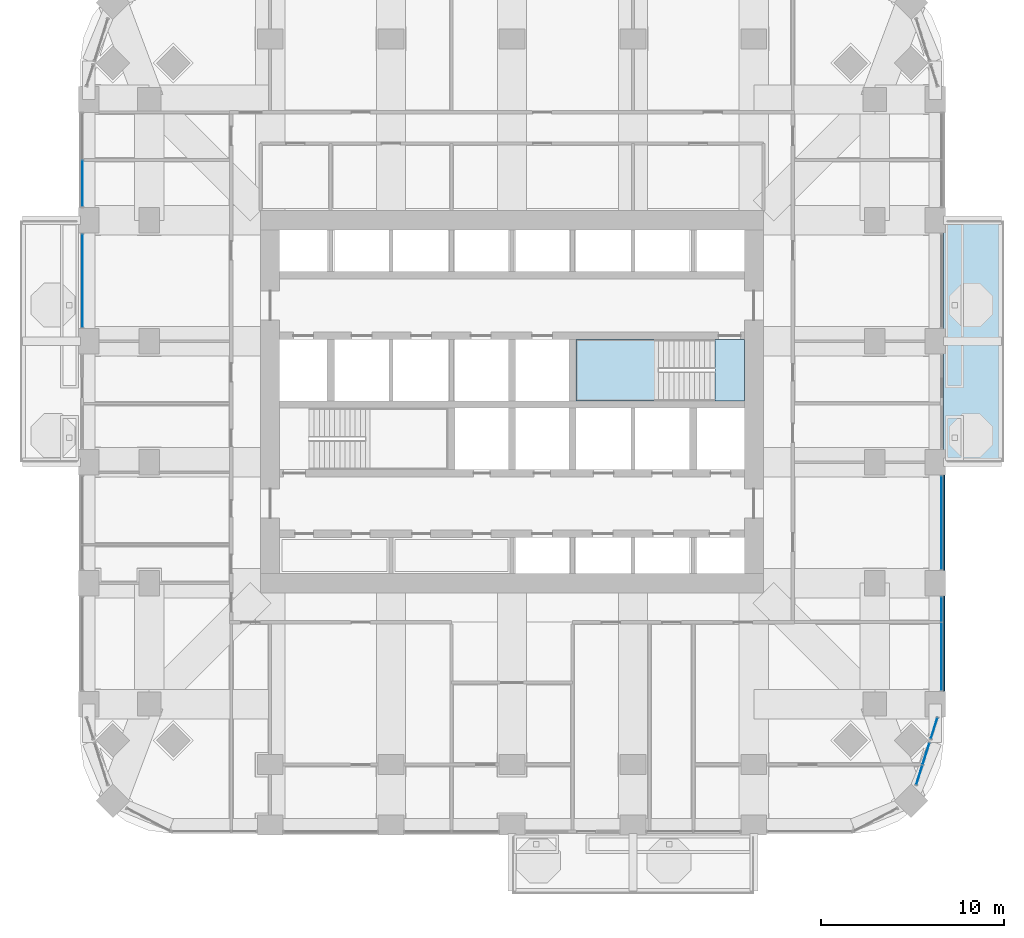
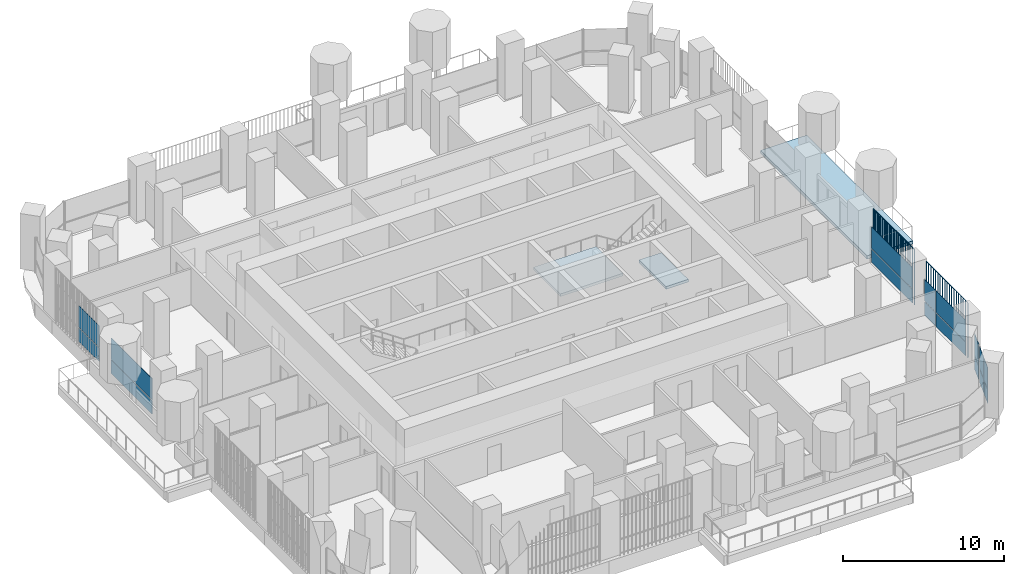
# One storey, part 11 of 23: 18 plates, 3 slabs, 7 elements without a shape of their own.
"""IFC4 building model written with IfcOpenShell, lengths in metres."""

from ifc_helpers import new_model, si_unit, direction, frame, origin, origin_2d, place, context, subcontext, project, spatial, polyline, rectangle, outline, extrude, material, layer, layer_set, type_object, element, aggregate, save


model = new_model("IFC4")

# Units and contexts
model_context = context("Model", 3, precision=1e-05, world=origin(), true_north=direction((0.0, 1.0)))
body_context = subcontext(model_context, "Body", "Model", "MODEL_VIEW")
ifc_project = project(units=[si_unit("LENGTHUNIT", "METRE"), si_unit("AREAUNIT", "SQUARE_METRE"), si_unit("VOLUMEUNIT", "CUBIC_METRE"), si_unit("PLANEANGLEUNIT", "RADIAN"), si_unit("MASSUNIT", "GRAM", prefix="KILO")], contexts=[model_context])

# Site, building, storey
site_placement = place(None, origin())
site = spatial("IfcSite", under=ifc_project, at=site_placement, CompositionType="ELEMENT")
building_placement = place(site_placement, origin())
building = spatial("IfcBuilding", under=site, at=building_placement, Name="Cobogo Forest Laboratory Tower", CompositionType="ELEMENT")
storey_placement = place(building_placement, frame((0.0, 0.0, 128.39990234375)))
storey = spatial("IfcBuildingStorey", under=building, at=storey_placement, Name="L29", CompositionType="ELEMENT", Elevation=128.39990234375)

# Slab
ifc_material_1 = material(Name="Concrete HA-40 (C40/50)", Category="concrete")
ifc_layer_1 = layer(ifc_material_1, 0.25)
ifc_layer_set_1 = layer_set([ifc_layer_1], Name="Balcony slab 250")
slab_type_1 = type_object("IfcSlabType", Name="Balcony slab 250", PredefinedType="FLOOR", material=ifc_layer_set_1)
slab_1_placement = place(storey_placement, frame((0.0, 0.0, -0.25)))
element("IfcSlab", 1, at=slab_1_placement, inside=storey, type_object=slab_type_1, Name="Balcony BAL-E1 L29", PredefinedType="FLOOR", context=body_context, shape_type="SweptSolid", body=[
    extrude(outline(polyline([(49.949951171875, 19.800048828125), (53.25, 19.800048828125), (53.25, 33.0), (49.949951171875, 33.0), (49.949951171875, 19.800048828125)])), origin(), (0.0, 0.0, 1.0), 0.25),
])

# Curtain wall, plates
ifc_material_2 = material(Name="Aluminium curtain wall", Category="aluminium")
curtain_wall_type = type_object("IfcCurtainWallType", Name="CW-1 unitised curtain wall, clear glazing, laboratory floors zones A and B", PredefinedType="USERDEFINED", material=ifc_material_2)
curtain_wall_1_placement = place(storey_placement, origin())
curtain_wall_1 = element("IfcCurtainWall", 2, at=curtain_wall_1_placement, inside=storey, type_object=curtain_wall_type, Name="Curtain wall 08 L29", ObjectType="UNITISED CURTAIN WALL", PredefinedType="USERDEFINED")
ifc_material_3 = material(Name="Clear insulated glass", Category="glass")
ifc_layer_2 = layer(ifc_material_3, 0.028076171875)
ifc_layer_set_2 = layer_set([ifc_layer_2], Name="GP-1 clear insulated glass unit 28")
plate_type_1 = type_object("IfcPlateType", Name="GP-1 clear insulated glass unit 28", PredefinedType="CURTAIN_PANEL", material=ifc_layer_set_2)
plate_1_placement = place(storey_placement, frame((48.6279296875, 2.73046875, 0.0), z_axis=(0.0, 0.0, 1.0), x_axis=(0.301135291996, 0.953581425949, 0.0)))
plate_1 = element("IfcPlate", 3, at=plate_1_placement, type_object=plate_type_1, Name="CW-1 panel 1.1", PredefinedType="CURTAIN_PANEL", context=body_context, shape_type="SweptSolid", body=[
    extrude(rectangle(XDim=1.083984375, YDim=0.028076171875, at=origin_2d()), origin(), (0.0, 0.0, 1.0), 1.02001953125),
])
plate_2_placement = place(storey_placement, frame((48.6279296875, 2.73046875, 1.080078125), z_axis=(0.0, 0.0, 1.0), x_axis=(0.301135291996, 0.953581425949, 0.0)))
plate_2 = element("IfcPlate", 4, at=plate_2_placement, type_object=plate_type_1, Name="CW-1 panel 1.2", PredefinedType="CURTAIN_PANEL", context=body_context, shape_type="SweptSolid", body=[
    extrude(rectangle(XDim=1.083984375, YDim=0.028076171875, at=origin_2d()), origin(), (0.0, 0.0, 1.0), 1.6201171875),
])
plate_3_placement = place(storey_placement, frame((48.99365234375, 3.88818359375, 0.0), z_axis=(0.0, 0.0, 1.0), x_axis=(0.301135291996, 0.953581425949, 0.0)))
plate_3 = element("IfcPlate", 5, at=plate_3_placement, type_object=plate_type_1, Name="CW-1 panel 2.1", PredefinedType="CURTAIN_PANEL", context=body_context, shape_type="SweptSolid", body=[
    extrude(rectangle(XDim=1.223876953125, YDim=0.028076171875, at=origin_2d()), origin(), (0.0, 0.0, 1.0), 1.02001953125),
])
plate_4_placement = place(storey_placement, frame((48.99365234375, 3.88818359375, 1.080078125), z_axis=(0.0, 0.0, 1.0), x_axis=(0.301135291996, 0.953581425949, 0.0)))
plate_4 = element("IfcPlate", 6, at=plate_4_placement, type_object=plate_type_1, Name="CW-1 panel 2.2", PredefinedType="CURTAIN_PANEL", context=body_context, shape_type="SweptSolid", body=[
    extrude(rectangle(XDim=1.223876953125, YDim=0.028076171875, at=origin_2d()), origin(), (0.0, 0.0, 1.0), 1.6201171875),
])
aggregate(curtain_wall_1, [plate_1, plate_2, plate_3, plate_4])

curtain_wall_2_placement = place(storey_placement, origin())
curtain_wall_2 = element("IfcCurtainWall", 7, at=curtain_wall_2_placement, inside=storey, type_object=curtain_wall_type, Name="Curtain wall 09 L29", ObjectType="UNITISED CURTAIN WALL", PredefinedType="USERDEFINED")
plate_5_placement = place(storey_placement, frame((49.433837890625, 5.2822265625, 0.0), z_axis=(0.0, 0.0, 1.0), x_axis=(0.301135356805, 0.953581405483, 0.0)))
plate_5 = element("IfcPlate", 8, at=plate_5_placement, type_object=plate_type_1, Name="CW-1 panel 1.1", PredefinedType="CURTAIN_PANEL", context=body_context, shape_type="SweptSolid", body=[
    extrude(rectangle(XDim=1.17578125, YDim=0.028076171875, at=origin_2d()), origin(), (0.0, 0.0, 1.0), 1.02001953125),
])
plate_6_placement = place(storey_placement, frame((49.433837890625, 5.2822265625, 1.080078125), z_axis=(0.0, 0.0, 1.0), x_axis=(0.301135356805, 0.953581405483, 0.0)))
plate_6 = element("IfcPlate", 9, at=plate_6_placement, type_object=plate_type_1, Name="CW-1 panel 1.2", PredefinedType="CURTAIN_PANEL", context=body_context, shape_type="SweptSolid", body=[
    extrude(rectangle(XDim=1.17578125, YDim=0.028076171875, at=origin_2d()), origin(), (0.0, 0.0, 1.0), 1.6201171875),
])
aggregate(curtain_wall_2, [plate_5, plate_6])

curtain_wall_3_placement = place(storey_placement, origin())
curtain_wall_3 = element("IfcCurtainWall", 10, at=curtain_wall_3_placement, inside=storey, type_object=curtain_wall_type, Name="Curtain wall 10 L29", ObjectType="UNITISED CURTAIN WALL", PredefinedType="USERDEFINED")
plate_7_placement = place(storey_placement, frame((49.85009765625, 9.202392578125, 0.0), z_axis=(0.0, 0.0, 1.0), x_axis=(0.0, 1.0, 0.0)))
plate_7 = element("IfcPlate", 11, at=plate_7_placement, type_object=plate_type_1, Name="CW-1 panel 1.1", PredefinedType="CURTAIN_PANEL", context=body_context, shape_type="SweptSolid", body=[
    extrude(rectangle(XDim=3.68505859375, YDim=0.028076171875, at=origin_2d()), origin(), (0.0, 0.0, 1.0), 1.02001953125),
])
plate_8_placement = place(storey_placement, frame((49.85009765625, 9.202392578125, 1.080078125), z_axis=(0.0, 0.0, 1.0), x_axis=(0.0, 1.0, 0.0)))
plate_8 = element("IfcPlate", 12, at=plate_8_placement, type_object=plate_type_1, Name="CW-1 panel 1.2", PredefinedType="CURTAIN_PANEL", context=body_context, shape_type="SweptSolid", body=[
    extrude(rectangle(XDim=3.68505859375, YDim=0.028076171875, at=origin_2d()), origin(), (0.0, 0.0, 1.0), 1.6201171875),
])
plate_9_placement = place(storey_placement, frame((49.85009765625, 11.7724609375, 0.0), z_axis=(0.0, 0.0, 1.0), x_axis=(0.0, 1.0, 0.0)))
plate_9 = element("IfcPlate", 13, at=plate_9_placement, type_object=plate_type_1, Name="CW-1 panel 2.1", PredefinedType="CURTAIN_PANEL", context=body_context, shape_type="SweptSolid", body=[
    extrude(rectangle(XDim=1.3349609375, YDim=0.028076171875, at=origin_2d()), origin(), (0.0, 0.0, 1.0), 1.02001953125),
])
plate_10_placement = place(storey_placement, frame((49.85009765625, 11.7724609375, 1.080078125), z_axis=(0.0, 0.0, 1.0), x_axis=(0.0, 1.0, 0.0)))
plate_10 = element("IfcPlate", 14, at=plate_10_placement, type_object=plate_type_1, Name="CW-1 panel 2.2", PredefinedType="CURTAIN_PANEL", context=body_context, shape_type="SweptSolid", body=[
    extrude(rectangle(XDim=1.3349609375, YDim=0.028076171875, at=origin_2d()), origin(), (0.0, 0.0, 1.0), 1.6201171875),
])
aggregate(curtain_wall_3, [plate_7, plate_8, plate_9, plate_10])

curtain_wall_4_placement = place(storey_placement, origin())
curtain_wall_4 = element("IfcCurtainWall", 15, at=curtain_wall_4_placement, inside=storey, type_object=curtain_wall_type, Name="Curtain wall 11 L29", ObjectType="UNITISED CURTAIN WALL", PredefinedType="USERDEFINED")
plate_11_placement = place(storey_placement, frame((49.85009765625, 16.5, 0.0), z_axis=(0.0, 0.0, 1.0), x_axis=(0.0, 1.0, 0.0)))
plate_11 = element("IfcPlate", 16, at=plate_11_placement, type_object=plate_type_1, Name="CW-1 panel 1.1", PredefinedType="CURTAIN_PANEL", context=body_context, shape_type="SweptSolid", body=[
    extrude(rectangle(XDim=5.080078125, YDim=0.028076171875, at=origin_2d()), origin(), (0.0, 0.0, 1.0), 1.02001953125),
])
plate_12_placement = place(storey_placement, frame((49.85009765625, 16.5, 1.080078125), z_axis=(0.0, 0.0, 1.0), x_axis=(0.0, 1.0, 0.0)))
plate_12 = element("IfcPlate", 17, at=plate_12_placement, type_object=plate_type_1, Name="CW-1 panel 1.2", PredefinedType="CURTAIN_PANEL", context=body_context, shape_type="SweptSolid", body=[
    extrude(rectangle(XDim=5.080078125, YDim=0.028076171875, at=origin_2d()), origin(), (0.0, 0.0, 1.0), 1.6201171875),
])
aggregate(curtain_wall_4, [plate_11, plate_12])

curtain_wall_5_placement = place(storey_placement, origin())
curtain_wall_5 = element("IfcCurtainWall", 18, at=curtain_wall_5_placement, inside=storey, type_object=curtain_wall_type, Name="Curtain wall 27 L29", ObjectType="UNITISED CURTAIN WALL", PredefinedType="USERDEFINED")
plate_13_placement = place(storey_placement, frame((2.949951171875, 35.014892578125, 0.0), z_axis=(0.0, 0.0, 1.0), x_axis=(0.0, -1.0, 0.0)))
plate_13 = element("IfcPlate", 19, at=plate_13_placement, type_object=plate_type_1, Name="CW-1 panel 2.1", PredefinedType="CURTAIN_PANEL", context=body_context, shape_type="SweptSolid", body=[
    extrude(rectangle(XDim=2.510009765625, YDim=0.028076171875, at=origin_2d()), origin(), (0.0, 0.0, 1.0), 1.02001953125),
])
plate_14_placement = place(storey_placement, frame((2.949951171875, 35.014892578125, 1.080078125), z_axis=(0.0, 0.0, 1.0), x_axis=(0.0, -1.0, 0.0)))
plate_14 = element("IfcPlate", 20, at=plate_14_placement, type_object=plate_type_1, Name="CW-1 panel 2.2", PredefinedType="CURTAIN_PANEL", context=body_context, shape_type="SweptSolid", body=[
    extrude(rectangle(XDim=2.510009765625, YDim=0.028076171875, at=origin_2d()), origin(), (0.0, 0.0, 1.0), 1.6201171875),
])
aggregate(curtain_wall_5, [plate_13, plate_14])

curtain_wall_6_placement = place(storey_placement, origin())
curtain_wall_6 = element("IfcCurtainWall", 21, at=curtain_wall_6_placement, inside=storey, type_object=curtain_wall_type, Name="Curtain wall 28 L29", ObjectType="UNITISED CURTAIN WALL", PredefinedType="USERDEFINED")
plate_15_placement = place(storey_placement, frame((2.949951171875, 29.699951171875, 0.0), z_axis=(0.0, 0.0, 1.0), x_axis=(0.0, -1.0, 0.0)))
plate_15 = element("IfcPlate", 22, at=plate_15_placement, type_object=plate_type_1, Name="CW-1 panel 1.1", PredefinedType="CURTAIN_PANEL", context=body_context, shape_type="SweptSolid", body=[
    extrude(rectangle(XDim=5.080078125, YDim=0.028076171875, at=origin_2d()), origin(), (0.0, 0.0, 1.0), 1.02001953125),
])
plate_16_placement = place(storey_placement, frame((2.949951171875, 29.699951171875, 1.080078125), z_axis=(0.0, 0.0, 1.0), x_axis=(0.0, -1.0, 0.0)))
plate_16 = element("IfcPlate", 23, at=plate_16_placement, type_object=plate_type_1, Name="CW-1 panel 1.2", PredefinedType="CURTAIN_PANEL", context=body_context, shape_type="SweptSolid", body=[
    extrude(rectangle(XDim=5.080078125, YDim=0.028076171875, at=origin_2d()), origin(), (0.0, 0.0, 1.0), 1.6201171875),
])
aggregate(curtain_wall_6, [plate_15, plate_16])

# Stair, slabs
ifc_material_4 = material(Name="Precast concrete HA-40 (C40/50)", Category="concrete")
stair_type = type_object("IfcStairType", Name="ST24 exit stair 24 risers", PredefinedType="HALF_TURN_STAIR", material=ifc_material_4)
stair_placement = place(storey_placement, origin())
stair = element("IfcStair", 24, at=stair_placement, inside=storey, type_object=stair_type, Name="Stair 2 L29 to L30", PredefinedType="HALF_TURN_STAIR")
ifc_layer_3 = layer(ifc_material_1, 0.199951171875)
ifc_layer_set_3 = layer_set([ifc_layer_3], Name="SL stair landing 200")
slab_type_2 = type_object("IfcSlabType", Name="SL stair landing 200", PredefinedType="LANDING", material=ifc_layer_set_3)
slab_2_placement = place(storey_placement, frame((0.0, 0.0, -0.199951171875)))
slab_2 = element("IfcSlab", 25, at=slab_2_placement, type_object=slab_type_2, Name="ST2 landing 1", PredefinedType="LANDING", context=body_context, shape_type="SweptSolid", body=[
    extrude(outline(polyline([(37.472900390625, 23.14990234375), (39.074951171875, 23.14990234375), (39.074951171875, 26.5), (37.472900390625, 26.5), (37.472900390625, 23.14990234375)])), origin(), (0.0, 0.0, 1.0), 0.199951171875),
])
slab_3_placement = place(storey_placement, frame((0.0, 0.0, 1.900146484375)))
slab_3 = element("IfcSlab", 26, at=slab_3_placement, type_object=slab_type_2, Name="ST2 landing 2", PredefinedType="LANDING", context=body_context, shape_type="SweptSolid", body=[
    extrude(outline(polyline([(29.89990234375, 23.14990234375), (34.39697265625, 23.14990234375), (34.39697265625, 26.5), (29.89990234375, 26.5), (29.89990234375, 23.14990234375)])), origin(), (0.0, 0.0, 1.0), 0.199951171875),
])
aggregate(stair, [slab_2, slab_3])

# Plates
ifc_material_5 = material(Name="Terracotta", Category="masonry")
plate_type_2 = type_object("IfcPlateType", Name="TB1 terracotta baguette screen", PredefinedType="USERDEFINED", material=ifc_material_5)
plate_17_placement = place(storey_placement, frame((49.977783203125, 7.331298828125, -0.14990234375)))
element("IfcPlate", 27, at=plate_17_placement, inside=storey, type_object=plate_type_2, Name="Baguette screen E1 L29", ObjectType="BAGUETTE SCREEN", PredefinedType="USERDEFINED", context=body_context, shape_type="SweptSolid", body=[
    extrude(outline(polyline([(0.02880859375, 0.011962890625), (0.011962890625, 0.02880859375), (-0.011962890625, 0.02880859375), (-0.02880859375, 0.011962890625), (-0.02880859375, -0.011962890625), (-0.011962890625, -0.02880859375), (0.011962890625, -0.02880859375), (0.02880859375, -0.011962890625), (0.02880859375, 0.011962890625)])), frame((0.0, 0.0, 4.168701171875), z_axis=(0.0, 1.0, 0.0), x_axis=(-1.0, 0.0, 0.0)), (0.0, 0.0, 1.0), 5.137451171875),
    extrude(outline(polyline([(0.02880859375, 0.011962890625), (0.011962890625, 0.02880859375), (-0.011962890625, 0.02880859375), (-0.02880859375, 0.011962890625), (-0.02880859375, -0.011962890625), (-0.011962890625, -0.02880859375), (0.011962890625, -0.02880859375), (0.02880859375, -0.011962890625), (0.02880859375, 0.011962890625)])), origin(), (0.0, 0.0, 1.0), 4.137451171875),
    extrude(outline(polyline([(0.02880859375, 0.011962890625), (0.011962890625, 0.02880859375), (-0.011962890625, 0.02880859375), (-0.02880859375, 0.011962890625), (-0.02880859375, -0.011962890625), (-0.011962890625, -0.02880859375), (0.011962890625, -0.02880859375), (0.02880859375, -0.011962890625), (0.02880859375, 0.011962890625)])), frame((0.0, 0.285400390625, 0.0)), (0.0, 0.0, 1.0), 4.137451171875),
    extrude(outline(polyline([(0.02880859375, 0.011962890625), (0.011962890625, 0.02880859375), (-0.011962890625, 0.02880859375), (-0.02880859375, 0.011962890625), (-0.02880859375, -0.011962890625), (-0.011962890625, -0.02880859375), (0.011962890625, -0.02880859375), (0.02880859375, -0.011962890625), (0.02880859375, 0.011962890625)])), frame((0.0, 0.57080078125, 0.0)), (0.0, 0.0, 1.0), 4.137451171875),
    extrude(outline(polyline([(0.02880859375, 0.011962890625), (0.011962890625, 0.02880859375), (-0.011962890625, 0.02880859375), (-0.02880859375, 0.011962890625), (-0.02880859375, -0.011962890625), (-0.011962890625, -0.02880859375), (0.011962890625, -0.02880859375), (0.02880859375, -0.011962890625), (0.02880859375, 0.011962890625)])), frame((0.0, 0.856201171875, 0.0)), (0.0, 0.0, 1.0), 4.137451171875),
    extrude(outline(polyline([(0.02880859375, 0.011962890625), (0.011962890625, 0.02880859375), (-0.011962890625, 0.02880859375), (-0.02880859375, 0.011962890625), (-0.02880859375, -0.011962890625), (-0.011962890625, -0.02880859375), (0.011962890625, -0.02880859375), (0.02880859375, -0.011962890625), (0.02880859375, 0.011962890625)])), frame((0.0, 1.1416015625, 0.0)), (0.0, 0.0, 1.0), 4.137451171875),
    extrude(outline(polyline([(0.02880859375, 0.011962890625), (0.011962890625, 0.02880859375), (-0.011962890625, 0.02880859375), (-0.02880859375, 0.011962890625), (-0.02880859375, -0.011962890625), (-0.011962890625, -0.02880859375), (0.011962890625, -0.02880859375), (0.02880859375, -0.011962890625), (0.02880859375, 0.011962890625)])), frame((0.0, 1.427001953125, 0.0)), (0.0, 0.0, 1.0), 4.137451171875),
    extrude(outline(polyline([(0.02880859375, 0.011962890625), (0.011962890625, 0.02880859375), (-0.011962890625, 0.02880859375), (-0.02880859375, 0.011962890625), (-0.02880859375, -0.011962890625), (-0.011962890625, -0.02880859375), (0.011962890625, -0.02880859375), (0.02880859375, -0.011962890625), (0.02880859375, 0.011962890625)])), frame((0.0, 1.71240234375, 0.0)), (0.0, 0.0, 1.0), 4.137451171875),
    extrude(outline(polyline([(0.02880859375, 0.011962890625), (0.011962890625, 0.02880859375), (-0.011962890625, 0.02880859375), (-0.02880859375, 0.011962890625), (-0.02880859375, -0.011962890625), (-0.011962890625, -0.02880859375), (0.011962890625, -0.02880859375), (0.02880859375, -0.011962890625), (0.02880859375, 0.011962890625)])), frame((0.0, 1.997802734375, 0.0)), (0.0, 0.0, 1.0), 4.137451171875),
    extrude(outline(polyline([(0.02880859375, 0.011962890625), (0.011962890625, 0.02880859375), (-0.011962890625, 0.02880859375), (-0.02880859375, 0.011962890625), (-0.02880859375, -0.011962890625), (-0.011962890625, -0.02880859375), (0.011962890625, -0.02880859375), (0.02880859375, -0.011962890625), (0.02880859375, 0.011962890625)])), frame((0.0, 2.283203125, 0.0)), (0.0, 0.0, 1.0), 4.137451171875),
    extrude(outline(polyline([(0.02880859375, 0.011962890625), (0.011962890625, 0.02880859375), (-0.011962890625, 0.02880859375), (-0.02880859375, 0.011962890625), (-0.02880859375, -0.011962890625), (-0.011962890625, -0.02880859375), (0.011962890625, -0.02880859375), (0.02880859375, -0.011962890625), (0.02880859375, 0.011962890625)])), frame((0.0, 2.56884765625, 0.0)), (0.0, 0.0, 1.0), 4.137451171875),
    extrude(outline(polyline([(0.02880859375, 0.011962890625), (0.011962890625, 0.02880859375), (-0.011962890625, 0.02880859375), (-0.02880859375, 0.011962890625), (-0.02880859375, -0.011962890625), (-0.011962890625, -0.02880859375), (0.011962890625, -0.02880859375), (0.02880859375, -0.011962890625), (0.02880859375, 0.011962890625)])), frame((0.0, 2.854248046875, 0.0)), (0.0, 0.0, 1.0), 4.137451171875),
    extrude(outline(polyline([(0.02880859375, 0.011962890625), (0.011962890625, 0.02880859375), (-0.011962890625, 0.02880859375), (-0.02880859375, 0.011962890625), (-0.02880859375, -0.011962890625), (-0.011962890625, -0.02880859375), (0.011962890625, -0.02880859375), (0.02880859375, -0.011962890625), (0.02880859375, 0.011962890625)])), frame((0.0, 3.1396484375, 0.0)), (0.0, 0.0, 1.0), 4.137451171875),
    extrude(outline(polyline([(0.02880859375, 0.011962890625), (0.011962890625, 0.02880859375), (-0.011962890625, 0.02880859375), (-0.02880859375, 0.011962890625), (-0.02880859375, -0.011962890625), (-0.011962890625, -0.02880859375), (0.011962890625, -0.02880859375), (0.02880859375, -0.011962890625), (0.02880859375, 0.011962890625)])), frame((0.0, 3.425048828125, 0.0)), (0.0, 0.0, 1.0), 4.137451171875),
    extrude(outline(polyline([(0.02880859375, 0.011962890625), (0.011962890625, 0.02880859375), (-0.011962890625, 0.02880859375), (-0.02880859375, 0.011962890625), (-0.02880859375, -0.011962890625), (-0.011962890625, -0.02880859375), (0.011962890625, -0.02880859375), (0.02880859375, -0.011962890625), (0.02880859375, 0.011962890625)])), frame((0.0, 3.71044921875, 0.0)), (0.0, 0.0, 1.0), 4.137451171875),
    extrude(outline(polyline([(0.02880859375, 0.011962890625), (0.011962890625, 0.02880859375), (-0.011962890625, 0.02880859375), (-0.02880859375, 0.011962890625), (-0.02880859375, -0.011962890625), (-0.011962890625, -0.02880859375), (0.011962890625, -0.02880859375), (0.02880859375, -0.011962890625), (0.02880859375, 0.011962890625)])), frame((0.0, 3.995849609375, 0.0)), (0.0, 0.0, 1.0), 4.137451171875),
    extrude(outline(polyline([(0.02880859375, 0.011962890625), (0.011962890625, 0.02880859375), (-0.011962890625, 0.02880859375), (-0.02880859375, 0.011962890625), (-0.02880859375, -0.011962890625), (-0.011962890625, -0.02880859375), (0.011962890625, -0.02880859375), (0.02880859375, -0.011962890625), (0.02880859375, 0.011962890625)])), frame((0.0, 4.28125, 0.0)), (0.0, 0.0, 1.0), 4.137451171875),
    extrude(outline(polyline([(0.02880859375, 0.011962890625), (0.011962890625, 0.02880859375), (-0.011962890625, 0.02880859375), (-0.02880859375, 0.011962890625), (-0.02880859375, -0.011962890625), (-0.011962890625, -0.02880859375), (0.011962890625, -0.02880859375), (0.02880859375, -0.011962890625), (0.02880859375, 0.011962890625)])), frame((0.0, 4.566650390625, 0.0)), (0.0, 0.0, 1.0), 4.137451171875),
    extrude(outline(polyline([(0.02880859375, 0.011962890625), (0.011962890625, 0.02880859375), (-0.011962890625, 0.02880859375), (-0.02880859375, 0.011962890625), (-0.02880859375, -0.011962890625), (-0.011962890625, -0.02880859375), (0.011962890625, -0.02880859375), (0.02880859375, -0.011962890625), (0.02880859375, 0.011962890625)])), frame((0.0, 4.85205078125, 0.0)), (0.0, 0.0, 1.0), 4.137451171875),
    extrude(outline(polyline([(0.02880859375, 0.011962890625), (0.011962890625, 0.02880859375), (-0.011962890625, 0.02880859375), (-0.02880859375, 0.011962890625), (-0.02880859375, -0.011962890625), (-0.011962890625, -0.02880859375), (0.011962890625, -0.02880859375), (0.02880859375, -0.011962890625), (0.02880859375, 0.011962890625)])), frame((0.0, 5.137451171875, 0.0)), (0.0, 0.0, 1.0), 4.137451171875),
])
plate_18_placement = place(storey_placement, frame((49.977783203125, 13.93115234375, -0.14990234375)))
element("IfcPlate", 28, at=plate_18_placement, inside=storey, type_object=plate_type_2, Name="Baguette screen E2 L29", ObjectType="BAGUETTE SCREEN", PredefinedType="USERDEFINED", context=body_context, shape_type="SweptSolid", body=[
    extrude(outline(polyline([(0.02880859375, 0.011962890625), (0.011962890625, 0.02880859375), (-0.011962890625, 0.02880859375), (-0.02880859375, 0.011962890625), (-0.02880859375, -0.011962890625), (-0.011962890625, -0.02880859375), (0.011962890625, -0.02880859375), (0.02880859375, -0.011962890625), (0.02880859375, 0.011962890625)])), frame((0.0, 0.0, 4.168701171875), z_axis=(0.0, 1.0, 0.0), x_axis=(-1.0, 0.0, 0.0)), (0.0, 0.0, 1.0), 5.1376953125),
    extrude(outline(polyline([(0.02880859375, 0.011962890625), (0.011962890625, 0.02880859375), (-0.011962890625, 0.02880859375), (-0.02880859375, 0.011962890625), (-0.02880859375, -0.011962890625), (-0.011962890625, -0.02880859375), (0.011962890625, -0.02880859375), (0.02880859375, -0.011962890625), (0.02880859375, 0.011962890625)])), origin(), (0.0, 0.0, 1.0), 4.137451171875),
    extrude(outline(polyline([(0.02880859375, 0.011962890625), (0.011962890625, 0.02880859375), (-0.011962890625, 0.02880859375), (-0.02880859375, 0.011962890625), (-0.02880859375, -0.011962890625), (-0.011962890625, -0.02880859375), (0.011962890625, -0.02880859375), (0.02880859375, -0.011962890625), (0.02880859375, 0.011962890625)])), frame((0.0, 0.285400390625, 0.0)), (0.0, 0.0, 1.0), 4.137451171875),
    extrude(outline(polyline([(0.02880859375, 0.011962890625), (0.011962890625, 0.02880859375), (-0.011962890625, 0.02880859375), (-0.02880859375, 0.011962890625), (-0.02880859375, -0.011962890625), (-0.011962890625, -0.02880859375), (0.011962890625, -0.02880859375), (0.02880859375, -0.011962890625), (0.02880859375, 0.011962890625)])), frame((0.0, 0.57080078125, 0.0)), (0.0, 0.0, 1.0), 4.137451171875),
    extrude(outline(polyline([(0.02880859375, 0.011962890625), (0.011962890625, 0.02880859375), (-0.011962890625, 0.02880859375), (-0.02880859375, 0.011962890625), (-0.02880859375, -0.011962890625), (-0.011962890625, -0.02880859375), (0.011962890625, -0.02880859375), (0.02880859375, -0.011962890625), (0.02880859375, 0.011962890625)])), frame((0.0, 0.856201171875, 0.0)), (0.0, 0.0, 1.0), 4.137451171875),
    extrude(outline(polyline([(0.02880859375, 0.011962890625), (0.011962890625, 0.02880859375), (-0.011962890625, 0.02880859375), (-0.02880859375, 0.011962890625), (-0.02880859375, -0.011962890625), (-0.011962890625, -0.02880859375), (0.011962890625, -0.02880859375), (0.02880859375, -0.011962890625), (0.02880859375, 0.011962890625)])), frame((0.0, 1.1416015625, 0.0)), (0.0, 0.0, 1.0), 4.137451171875),
    extrude(outline(polyline([(0.02880859375, 0.011962890625), (0.011962890625, 0.02880859375), (-0.011962890625, 0.02880859375), (-0.02880859375, 0.011962890625), (-0.02880859375, -0.011962890625), (-0.011962890625, -0.02880859375), (0.011962890625, -0.02880859375), (0.02880859375, -0.011962890625), (0.02880859375, 0.011962890625)])), frame((0.0, 1.42724609375, 0.0)), (0.0, 0.0, 1.0), 4.137451171875),
    extrude(outline(polyline([(0.02880859375, 0.011962890625), (0.011962890625, 0.02880859375), (-0.011962890625, 0.02880859375), (-0.02880859375, 0.011962890625), (-0.02880859375, -0.011962890625), (-0.011962890625, -0.02880859375), (0.011962890625, -0.02880859375), (0.02880859375, -0.011962890625), (0.02880859375, 0.011962890625)])), frame((0.0, 1.712646484375, 0.0)), (0.0, 0.0, 1.0), 4.137451171875),
    extrude(outline(polyline([(0.02880859375, 0.011962890625), (0.011962890625, 0.02880859375), (-0.011962890625, 0.02880859375), (-0.02880859375, 0.011962890625), (-0.02880859375, -0.011962890625), (-0.011962890625, -0.02880859375), (0.011962890625, -0.02880859375), (0.02880859375, -0.011962890625), (0.02880859375, 0.011962890625)])), frame((0.0, 1.998046875, 0.0)), (0.0, 0.0, 1.0), 4.137451171875),
    extrude(outline(polyline([(0.02880859375, 0.011962890625), (0.011962890625, 0.02880859375), (-0.011962890625, 0.02880859375), (-0.02880859375, 0.011962890625), (-0.02880859375, -0.011962890625), (-0.011962890625, -0.02880859375), (0.011962890625, -0.02880859375), (0.02880859375, -0.011962890625), (0.02880859375, 0.011962890625)])), frame((0.0, 2.283447265625, 0.0)), (0.0, 0.0, 1.0), 4.137451171875),
    extrude(outline(polyline([(0.02880859375, 0.011962890625), (0.011962890625, 0.02880859375), (-0.011962890625, 0.02880859375), (-0.02880859375, 0.011962890625), (-0.02880859375, -0.011962890625), (-0.011962890625, -0.02880859375), (0.011962890625, -0.02880859375), (0.02880859375, -0.011962890625), (0.02880859375, 0.011962890625)])), frame((0.0, 2.56884765625, 0.0)), (0.0, 0.0, 1.0), 4.137451171875),
    extrude(outline(polyline([(0.02880859375, 0.011962890625), (0.011962890625, 0.02880859375), (-0.011962890625, 0.02880859375), (-0.02880859375, 0.011962890625), (-0.02880859375, -0.011962890625), (-0.011962890625, -0.02880859375), (0.011962890625, -0.02880859375), (0.02880859375, -0.011962890625), (0.02880859375, 0.011962890625)])), frame((0.0, 2.854248046875, 0.0)), (0.0, 0.0, 1.0), 4.137451171875),
    extrude(outline(polyline([(0.02880859375, 0.011962890625), (0.011962890625, 0.02880859375), (-0.011962890625, 0.02880859375), (-0.02880859375, 0.011962890625), (-0.02880859375, -0.011962890625), (-0.011962890625, -0.02880859375), (0.011962890625, -0.02880859375), (0.02880859375, -0.011962890625), (0.02880859375, 0.011962890625)])), frame((0.0, 3.1396484375, 0.0)), (0.0, 0.0, 1.0), 4.137451171875),
    extrude(outline(polyline([(0.02880859375, 0.011962890625), (0.011962890625, 0.02880859375), (-0.011962890625, 0.02880859375), (-0.02880859375, 0.011962890625), (-0.02880859375, -0.011962890625), (-0.011962890625, -0.02880859375), (0.011962890625, -0.02880859375), (0.02880859375, -0.011962890625), (0.02880859375, 0.011962890625)])), frame((0.0, 3.425048828125, 0.0)), (0.0, 0.0, 1.0), 4.137451171875),
    extrude(outline(polyline([(0.02880859375, 0.011962890625), (0.011962890625, 0.02880859375), (-0.011962890625, 0.02880859375), (-0.02880859375, 0.011962890625), (-0.02880859375, -0.011962890625), (-0.011962890625, -0.02880859375), (0.011962890625, -0.02880859375), (0.02880859375, -0.011962890625), (0.02880859375, 0.011962890625)])), frame((0.0, 3.71044921875, 0.0)), (0.0, 0.0, 1.0), 4.137451171875),
    extrude(outline(polyline([(0.02880859375, 0.011962890625), (0.011962890625, 0.02880859375), (-0.011962890625, 0.02880859375), (-0.02880859375, 0.011962890625), (-0.02880859375, -0.011962890625), (-0.011962890625, -0.02880859375), (0.011962890625, -0.02880859375), (0.02880859375, -0.011962890625), (0.02880859375, 0.011962890625)])), frame((0.0, 3.99609375, 0.0)), (0.0, 0.0, 1.0), 4.137451171875),
    extrude(outline(polyline([(0.02880859375, 0.011962890625), (0.011962890625, 0.02880859375), (-0.011962890625, 0.02880859375), (-0.02880859375, 0.011962890625), (-0.02880859375, -0.011962890625), (-0.011962890625, -0.02880859375), (0.011962890625, -0.02880859375), (0.02880859375, -0.011962890625), (0.02880859375, 0.011962890625)])), frame((0.0, 4.281494140625, 0.0)), (0.0, 0.0, 1.0), 4.137451171875),
    extrude(outline(polyline([(0.02880859375, 0.011962890625), (0.011962890625, 0.02880859375), (-0.011962890625, 0.02880859375), (-0.02880859375, 0.011962890625), (-0.02880859375, -0.011962890625), (-0.011962890625, -0.02880859375), (0.011962890625, -0.02880859375), (0.02880859375, -0.011962890625), (0.02880859375, 0.011962890625)])), frame((0.0, 4.56689453125, 0.0)), (0.0, 0.0, 1.0), 4.137451171875),
    extrude(outline(polyline([(0.02880859375, 0.011962890625), (0.011962890625, 0.02880859375), (-0.011962890625, 0.02880859375), (-0.02880859375, 0.011962890625), (-0.02880859375, -0.011962890625), (-0.011962890625, -0.02880859375), (0.011962890625, -0.02880859375), (0.02880859375, -0.011962890625), (0.02880859375, 0.011962890625)])), frame((0.0, 4.852294921875, 0.0)), (0.0, 0.0, 1.0), 4.137451171875),
    extrude(outline(polyline([(0.02880859375, 0.011962890625), (0.011962890625, 0.02880859375), (-0.011962890625, 0.02880859375), (-0.02880859375, 0.011962890625), (-0.02880859375, -0.011962890625), (-0.011962890625, -0.02880859375), (0.011962890625, -0.02880859375), (0.02880859375, -0.011962890625), (0.02880859375, 0.011962890625)])), frame((0.0, 5.1376953125, 0.0)), (0.0, 0.0, 1.0), 4.137451171875),
])

save(model, "model.ifc")
